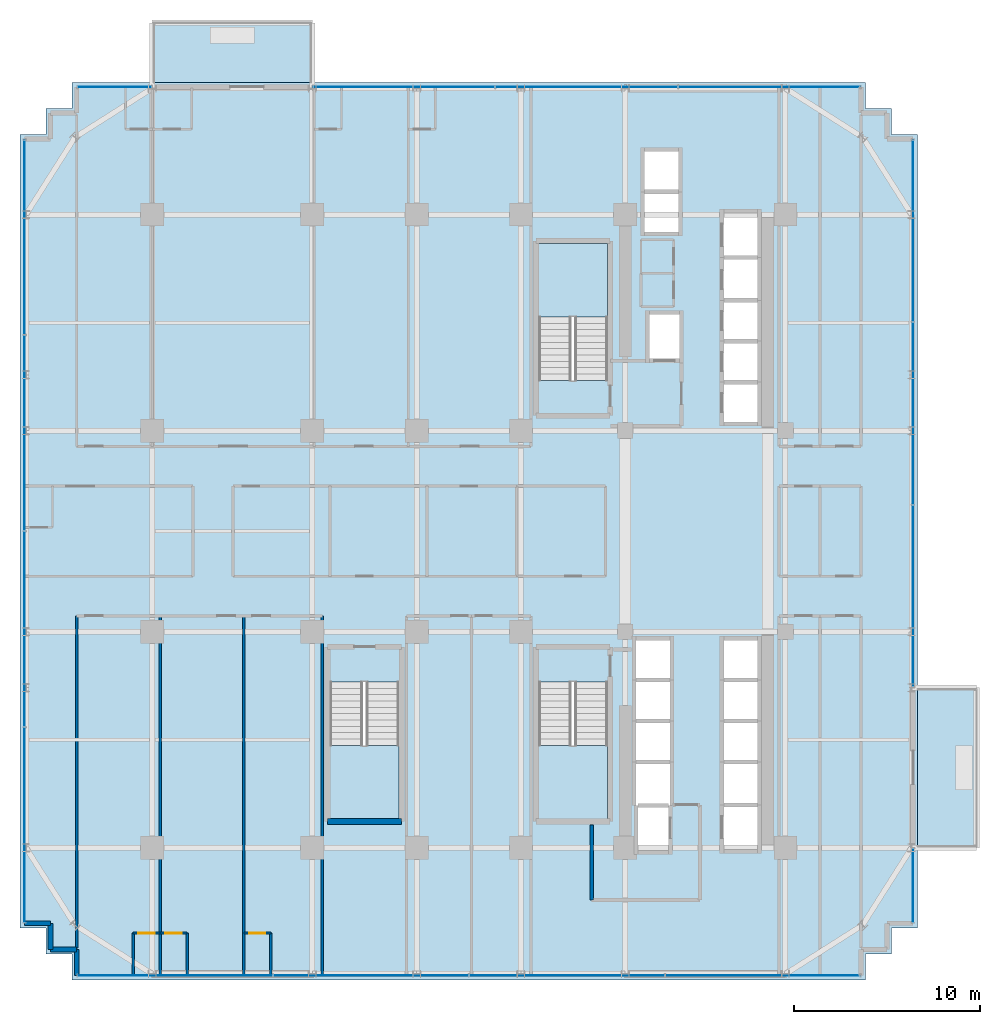
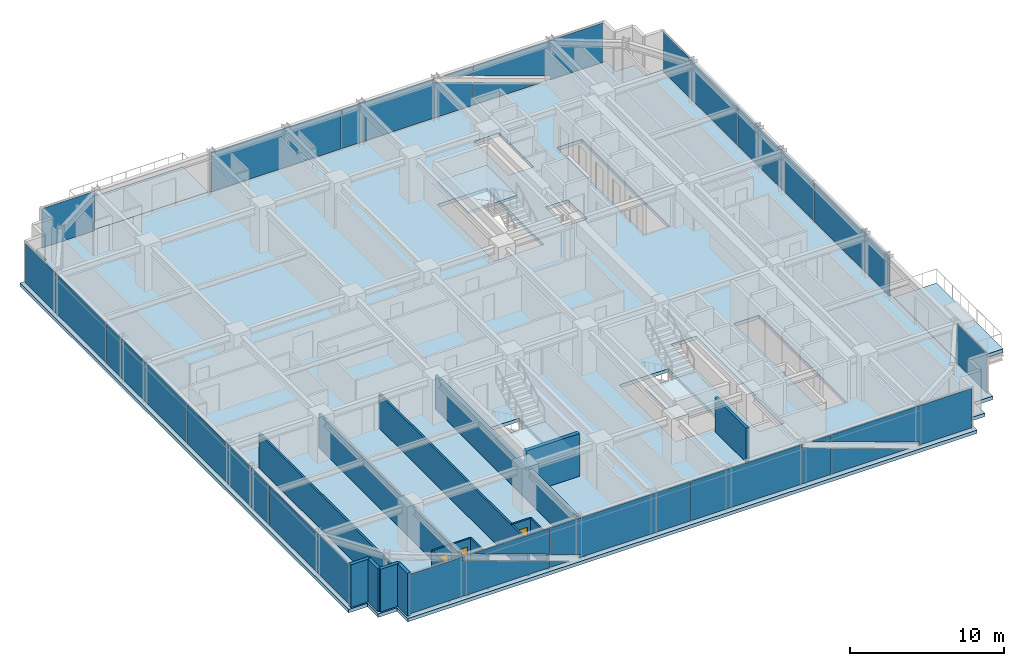
# One storey, part 26 of 34: 16 plates, 16 walls, 6 slabs, 3 doors, 3 openings, 9 elements without a shape of their own.
"""IFC4 building model written with IfcOpenShell, lengths in metres."""

import ifcopenshell
import ifcopenshell.guid

model = None  # the IFC model being written
_history = None  # IfcOwnerHistory: only IFC2X3 demands one
_inside = {}  # id of a spatial element -> (the spatial element, [elements in it])
_under = {}  # id of a project, library or spatial element -> (it, [spatial elements below it])
_declared = {}  # id of a project -> (the project, [libraries it declares])
_typed = {}  # id of a type object -> (the type object, [elements of that type])
_made_of = {}  # id of a material, layer set ... -> (it, [elements and type objects made of it])


def new_model(schema):
    """Start an empty IFC model of exactly this schema.

    Asked for "IFC4X3", IfcOpenShell would pick the latest addendum, in which some entities
    have other attributes; the version numbers below select the first issue.
    IFC2X3 requires an IfcOwnerHistory on every rooted entity: one is made here for all.
    """
    global model, _history
    if schema == "IFC4X3":
        model = ifcopenshell.file(schema_version=(4, 3, 0, 0))
    else:
        model = ifcopenshell.file(schema=schema)
    _inside.clear()
    _under.clear()
    _declared.clear()
    _typed.clear()
    _made_of.clear()
    _history = None
    if model.schema == "IFC2X3":
        org = make("IfcOrganization", Name="unknown")
        user = make(
            "IfcPersonAndOrganization",
            ThePerson=make("IfcPerson", FamilyName="unknown"),
            TheOrganization=org,
        )
        app = make(
            "IfcApplication",
            ApplicationDeveloper=org,
            Version="unknown",
            ApplicationFullName="unknown",
            ApplicationIdentifier="unknown",
        )
        _history = make(
            "IfcOwnerHistory",
            OwningUser=user,
            OwningApplication=app,
            ChangeAction="ADDED",
            CreationDate=0,
        )
    return model


def make(cls, **values):
    """One entity of the class cls with the attributes given. An attribute that is None is left unset."""
    return model.create_entity(
        cls, **{name: value for name, value in values.items() if value is not None}
    )


def rooted(cls, **values):
    """An entity with a GlobalId (a new one), such as an element, a storey or a relation."""
    return make(cls, GlobalId=ifcopenshell.guid.new(), OwnerHistory=_history, **values)


def si_unit(unit_type, name, prefix=None):
    """IfcSIUnit, for example si_unit("LENGTHUNIT", "METRE", prefix="MILLI")."""
    return make("IfcSIUnit", UnitType=unit_type, Prefix=prefix, Name=name)


def assignment(units):
    """IfcUnitAssignment: the units of a project."""
    return None if units is None else make("IfcUnitAssignment", Units=units)


def point(xyz):
    """IfcCartesianPoint."""
    return None if xyz is None else make("IfcCartesianPoint", Coordinates=xyz)


def direction(xyz):
    """IfcDirection."""
    return None if xyz is None else make("IfcDirection", DirectionRatios=xyz)


def frame(location, z_axis=None, x_axis=None):
    """IfcAxis2Placement3D, a coordinate frame: its origin and axes. An axis left out is left unset."""
    return make(
        "IfcAxis2Placement3D",
        Location=point(location),
        Axis=direction(z_axis),
        RefDirection=direction(x_axis),
    )


def frame_2d(location, x_axis=None):
    """IfcAxis2Placement2D, a coordinate frame in the plane: its origin and x axis."""
    return make(
        "IfcAxis2Placement2D", Location=point(location), RefDirection=direction(x_axis)
    )


def origin():
    """The frame at (0, 0, 0) with its axes left unset."""
    return frame((0.0, 0.0, 0.0))


def origin_2d():
    """The frame at (0, 0) in the plane with its x axis left unset."""
    return frame_2d((0.0, 0.0))


def place(relative_to, where):
    """IfcLocalPlacement: puts the frame where relative to a parent placement (None: the world)."""
    return make(
        "IfcLocalPlacement", PlacementRelTo=relative_to, RelativePlacement=where
    )


def context(
    kind, dimensions, precision=None, world=None, true_north=None, identifier=None
):
    """IfcGeometricRepresentationContext, for example the 3D "Model" context."""
    return make(
        "IfcGeometricRepresentationContext",
        ContextIdentifier=identifier,
        ContextType=kind,
        CoordinateSpaceDimension=dimensions,
        Precision=precision,
        WorldCoordinateSystem=world,
        TrueNorth=true_north,
    )


def subcontext(parent, identifier, kind, view, scale=None):
    """IfcGeometricRepresentationSubContext, for example "Body" below "Model"."""
    return make(
        "IfcGeometricRepresentationSubContext",
        ContextIdentifier=identifier,
        ContextType=kind,
        ParentContext=parent,
        TargetScale=scale,
        TargetView=view,
    )


def project(units=None, contexts=None):
    """IfcProject with its units and contexts."""
    return rooted(
        "IfcProject",
        Name="project",
        RepresentationContexts=contexts,
        UnitsInContext=assignment(units),
    )


def spatial(cls, under=None, at=None, **own):
    """A site, building, storey or space (cls), placed at a placement, below another one or the project."""
    s = rooted(cls, ObjectPlacement=at, **own)
    if under is not None:
        _under.setdefault(under.id(), (under, []))[1].append(s)
    return s


def polyline(points):
    """IfcPolyline through the points."""
    return make("IfcPolyline", Points=[point(p) for p in points])


def profile(cls, at=None, kind="AREA", **sizes):
    """A parametric profile (cls). Its sizes go by their IFC names, for example OverallWidth=200.0."""
    return make(cls, ProfileType=kind, Position=at, **sizes)


def rectangle(**sizes):
    """IfcRectangleProfileDef."""
    return profile("IfcRectangleProfileDef", **sizes)


def outline(outer, holes=None, kind="AREA"):
    """IfcArbitraryClosedProfileDef: a profile drawn as a closed curve; with holes, ...WithVoids."""
    if holes is None:
        return make("IfcArbitraryClosedProfileDef", ProfileType=kind, OuterCurve=outer)
    return make(
        "IfcArbitraryProfileDefWithVoids",
        ProfileType=kind,
        OuterCurve=outer,
        InnerCurves=holes,
    )


def extrude(swept, where, along, depth):
    """IfcExtrudedAreaSolid: the profile swept, set in the frame where, extruded along a direction by depth."""
    return make(
        "IfcExtrudedAreaSolid",
        SweptArea=swept,
        Position=where,
        ExtrudedDirection=direction(along),
        Depth=depth,
    )


def shape(context_of_items, identifier, shape_type, items):
    """IfcShapeRepresentation: the items that make up one representation, for example the "Body"."""
    return make(
        "IfcShapeRepresentation",
        ContextOfItems=context_of_items,
        RepresentationIdentifier=identifier,
        RepresentationType=shape_type,
        Items=items,
    )


def source(mapping_origin, context_of_items, identifier, shape_type, items):
    """IfcRepresentationMap: a shape defined once, which mapped items show again and again."""
    return make(
        "IfcRepresentationMap",
        MappingOrigin=mapping_origin,
        MappedRepresentation=shape(context_of_items, identifier, shape_type, items),
    )


def transform(
    local_origin,
    x_axis=None,
    y_axis=None,
    z_axis=None,
    scale=None,
    scale2=None,
    scale3=None,
    uniform=True,
):
    """IfcCartesianTransformationOperator3D, or its non-uniform kind. x_axis, y_axis, z_axis: its Axis1, 2, 3."""
    if uniform:
        return make(
            "IfcCartesianTransformationOperator3D",
            Axis1=direction(x_axis),
            Axis2=direction(y_axis),
            LocalOrigin=point(local_origin),
            Scale=scale,
            Axis3=direction(z_axis),
        )
    return make(
        "IfcCartesianTransformationOperator3DnonUniform",
        Axis1=direction(x_axis),
        Axis2=direction(y_axis),
        LocalOrigin=point(local_origin),
        Scale=scale,
        Axis3=direction(z_axis),
        Scale2=scale2,
        Scale3=scale3,
    )


def mapped(mapping_source, mapping_target):
    """IfcMappedItem: shows the shape of a source again, moved by a transform."""
    return make(
        "IfcMappedItem", MappingSource=mapping_source, MappingTarget=mapping_target
    )


def material(Name=None, Category=None):
    """IfcMaterial."""
    return make("IfcMaterial", Name=Name, Category=Category)


def layer(
    of_material, thickness, ventilated=None, Name=None, Category=None, Priority=None
):
    """IfcMaterialLayer: one layer of a wall or slab, of a material (None: an air gap)."""
    return make(
        "IfcMaterialLayer",
        Material=of_material,
        LayerThickness=thickness,
        IsVentilated=ventilated,
        Name=Name,
        Category=Category,
        Priority=Priority,
    )


def layer_set(layers, Name=None):
    """IfcMaterialLayerSet."""
    return make("IfcMaterialLayerSet", MaterialLayers=layers, LayerSetName=Name)


def made_of(thing, what):
    """Note that an element or type object is made of a material, layer set ...; save() writes the relation."""
    if what is not None:
        _made_of.setdefault(what.id(), (what, []))[1].append(thing)
    return thing


def type_object(cls, material=None, **own):
    """A type object (cls), such as IfcWallType, which elements share."""
    return made_of(rooted(cls, **own), material)


def element(
    cls,
    number,
    at=None,
    inside=None,
    cuts=None,
    type_object=None,
    material=None,
    context=None,
    identifier="Body",
    shape_type=None,
    held_by="IfcProductDefinitionShape",
    body=None,
    shapes=None,
    **own,
):
    """One element of the class cls, such as IfcWall. Its Tag is "e" and its number.

    at: its placement. inside: the storey or other place that contains it. cuts: it is an
    opening in that element (IfcRelVoidsElement). A single representation is given by context,
    identifier, shape_type and body (its items); several are given by shapes. held_by: the class
    of the entity that holds the representations. save() writes the other relations.
    """
    e = rooted(cls, Tag="e%d" % number, ObjectPlacement=at, **own)
    if body is not None:
        shapes = [shape(context, identifier, shape_type, body)]
    if shapes is not None:
        e.Representation = make(held_by, Representations=shapes)
    if inside is not None:
        _inside.setdefault(inside.id(), (inside, []))[1].append(e)
    if cuts is not None:
        rooted(
            "IfcRelVoidsElement", RelatingBuildingElement=cuts, RelatedOpeningElement=e
        )
    if type_object is not None:
        _typed.setdefault(type_object.id(), (type_object, []))[1].append(e)
    return made_of(e, material)


def fill(opening, filler):
    """IfcRelFillsElement: the door or window that sits in an opening."""
    return rooted(
        "IfcRelFillsElement",
        RelatingOpeningElement=opening,
        RelatedBuildingElement=filler,
    )


def aggregate(whole, parts):
    """IfcRelAggregates: a whole, such as a stair, and the parts it consists of."""
    return rooted("IfcRelAggregates", RelatingObject=whole, RelatedObjects=parts)


def save(model, path):
    """Write the relations noted so far, then the file.

    IfcRelAggregates (storeys below a building ...), IfcRelContainedInSpatialStructure (elements
    in a storey), IfcRelDefinesByType, IfcRelAssociatesMaterial and IfcRelDeclares: one each for
    every whole, place, type object, material and project.
    """
    for whole, parts in _under.values():
        aggregate(whole, parts)
    for where, things in _inside.values():
        rooted(
            "IfcRelContainedInSpatialStructure",
            RelatedElements=things,
            RelatingStructure=where,
        )
    for kind, things in _typed.values():
        rooted("IfcRelDefinesByType", RelatedObjects=things, RelatingType=kind)
    for what, things in _made_of.values():
        rooted("IfcRelAssociatesMaterial", RelatedObjects=things, RelatingMaterial=what)
    for by, libraries in _declared.values():
        rooted("IfcRelDeclares", RelatingContext=by, RelatedDefinitions=libraries)
    model.write(path)


model = new_model("IFC4")

# Units and contexts
model_context = context("Model", 3, precision=1e-05, world=origin(), true_north=direction((0.0, 1.0)))
body_context = subcontext(model_context, "Body", "Model", "MODEL_VIEW")
ifc_project = project(units=[si_unit("LENGTHUNIT", "METRE"), si_unit("AREAUNIT", "SQUARE_METRE"), si_unit("VOLUMEUNIT", "CUBIC_METRE"), si_unit("PLANEANGLEUNIT", "RADIAN"), si_unit("MASSUNIT", "GRAM", prefix="KILO")], contexts=[model_context])

# Site, building, storey
site_placement = place(None, origin())
site = spatial("IfcSite", under=ifc_project, at=site_placement, CompositionType="ELEMENT")
building_placement = place(site_placement, origin())
building = spatial("IfcBuilding", under=site, at=building_placement, Name="Nahalor Promenade Grand Hotel", CompositionType="ELEMENT")
storey_placement = place(building_placement, frame((0.0, 0.0, 128.449951171875)))
storey = spatial("IfcBuildingStorey", under=building, at=storey_placement, Name="L32", CompositionType="ELEMENT", Elevation=128.449951171875)

# Curtain wall, plates
ifc_material_1 = material(Name="Anodised Bronze Aluminium EN AW-6063 T6", Category="aluminium")
curtain_wall_type = type_object("IfcCurtainWallType", Name="CW2 Typical Hotel Flush Bronze Unitised Curtain Wall", PredefinedType="USERDEFINED", material=ifc_material_1)
curtain_wall_1_placement = place(storey_placement, origin())
curtain_wall_1 = element("IfcCurtainWall", 1, at=curtain_wall_1_placement, inside=storey, type_object=curtain_wall_type, Name="L32 Curtain Wall CW-L32-S-1", ObjectType="UNITISED_CURTAIN_WALL", PredefinedType="USERDEFINED")
ifc_material_2 = material(Name="Low-E Laminated Solar Glass", Category="glass")
ifc_layer_1 = layer(ifc_material_2, 0.028076171875)
ifc_layer_set_1 = layer_set([ifc_layer_1], Name="Low-E Laminated Solar Glass")
plate_type = type_object("IfcPlateType", Name="CWP2 Bronze Low-E Vision IGU 28mm", PredefinedType="CURTAIN_PANEL", material=ifc_layer_set_1)
plate_1_placement = place(storey_placement, frame((-15.77880859375, -23.860107421875, 0.1298828125), z_axis=(0.0, 0.0, 1.0), x_axis=(1.0, 0.0, 0.0)))
plate_1 = element("IfcPlate", 2, at=plate_1_placement, type_object=plate_type, Name="CW-L32-S-1 Glazing Panel 0-0", PredefinedType="CURTAIN_PANEL", context=body_context, shape_type="SweptSolid", body=[
    extrude(outline(polyline([(-5.21630859375, 0.0), (5.21630859375, 0.0), (5.21630859375, 0.52880859375), (-1.3291015625, 2.873046875), (-1.24072265625, 3.1201171875), (-5.21630859375, 3.1201171875), (-5.21630859375, 0.0)])), frame((0.0, 0.01416015625, 0.0), z_axis=(0.0, -1.0, 0.0), x_axis=(1.0, 0.0, 0.0)), (0.0, 0.0, 1.0), 0.028076171875),
    extrude(outline(polyline([(5.21630859375, 1.06005859375), (5.21630859375, 3.1201171875), (-0.53564453125, 3.1201171875), (5.21630859375, 1.06005859375)])), frame((0.0, 0.01416015625, 0.0), z_axis=(0.0, -1.0, 0.0), x_axis=(1.0, 0.0, 0.0)), (0.0, 0.0, 1.0), 0.028076171875),
])
plate_2_placement = place(storey_placement, frame((-5.264892578125, -23.860107421875, 0.1298828125), z_axis=(0.0, 0.0, 1.0), x_axis=(1.0, 0.0, 0.0)))
plate_2 = element("IfcPlate", 3, at=plate_2_placement, type_object=plate_type, Name="CW-L32-S-1 Glazing Panel 1-0", PredefinedType="CURTAIN_PANEL", context=body_context, shape_type="SweptSolid", body=[
    extrude(outline(polyline([(5.232421875, 3.1201171875), (-5.232421875, 3.1201171875), (-5.232421875, 1.036865234375), (-3.027099609375, 0.246826171875), (-3.11572265625, 0.0), (5.232421875, 0.0), (5.232421875, 3.1201171875)])), frame((0.0, 0.01416015625, 0.0), z_axis=(0.0, -1.0, 0.0), x_axis=(1.0, 0.0, 0.0)), (0.0, 0.0, 1.0), 0.028076171875),
    extrude(outline(polyline([(-5.232421875, 0.505615234375), (-5.232421875, 0.0), (-3.820556640625, 0.0), (-5.232421875, 0.505615234375)])), frame((0.0, 0.01416015625, 0.0), z_axis=(0.0, -1.0, 0.0), x_axis=(1.0, 0.0, 0.0)), (0.0, 0.0, 1.0), 0.028076171875),
])
plate_3_placement = place(storey_placement, frame((5.264892578125, -23.860107421875, 0.1298828125), z_axis=(0.0, 0.0, 1.0), x_axis=(1.0, 0.0, 0.0)))
plate_3 = element("IfcPlate", 4, at=plate_3_placement, type_object=plate_type, Name="CW-L32-S-1 Glazing Panel 2-0", PredefinedType="CURTAIN_PANEL", context=body_context, shape_type="SweptSolid", body=[
    extrude(outline(polyline([(-5.232421875, 0.0), (5.232421875, 0.0), (5.232421875, 2.083251953125), (3.027099609375, 2.873046875), (3.11572265625, 3.1201171875), (-5.232421875, 3.1201171875), (-5.232421875, 0.0)])), frame((0.0, 0.01416015625, 0.0), z_axis=(0.0, -1.0, 0.0), x_axis=(1.0, 0.0, 0.0)), (0.0, 0.0, 1.0), 0.028076171875),
    extrude(outline(polyline([(5.232421875, 2.6142578125), (5.232421875, 3.1201171875), (3.820556640625, 3.1201171875), (5.232421875, 2.6142578125)])), frame((0.0, 0.01416015625, 0.0), z_axis=(0.0, -1.0, 0.0), x_axis=(1.0, 0.0, 0.0)), (0.0, 0.0, 1.0), 0.028076171875),
])
plate_4_placement = place(storey_placement, frame((15.77880859375, -23.860107421875, 0.1298828125), z_axis=(0.0, 0.0, 1.0), x_axis=(1.0, 0.0, 0.0)))
plate_4 = element("IfcPlate", 5, at=plate_4_placement, type_object=plate_type, Name="CW-L32-S-1 Glazing Panel 3-0", PredefinedType="CURTAIN_PANEL", context=body_context, shape_type="SweptSolid", body=[
    extrude(outline(polyline([(5.21630859375, 3.1201171875), (-5.21630859375, 3.1201171875), (-5.21630859375, 2.591064453125), (1.3291015625, 0.246826171875), (1.24072265625, 0.0), (5.21630859375, 0.0), (5.21630859375, 3.1201171875)])), frame((0.0, 0.01416015625, 0.0), z_axis=(0.0, -1.0, 0.0), x_axis=(1.0, 0.0, 0.0)), (0.0, 0.0, 1.0), 0.028076171875),
    extrude(outline(polyline([(-5.21630859375, 2.06005859375), (-5.21630859375, 0.0), (0.53564453125, 0.0), (-5.21630859375, 2.06005859375)])), frame((0.0, 0.01416015625, 0.0), z_axis=(0.0, -1.0, 0.0), x_axis=(1.0, 0.0, 0.0)), (0.0, 0.0, 1.0), 0.028076171875),
])
aggregate(curtain_wall_1, [plate_1, plate_2, plate_3, plate_4])

curtain_wall_2_placement = place(storey_placement, origin())
curtain_wall_2 = element("IfcCurtainWall", 6, at=curtain_wall_2_placement, inside=storey, type_object=curtain_wall_type, Name="L32 Curtain Wall CW-L32-N-3", ObjectType="UNITISED_CURTAIN_WALL", PredefinedType="USERDEFINED")
plate_5_placement = place(storey_placement, frame((6.330078125, 23.860107421875, 0.1298828125), z_axis=(0.0, 0.0, 1.0), x_axis=(1.0, 0.0, 0.0)))
plate_5 = element("IfcPlate", 7, at=plate_5_placement, type_object=plate_type, Name="CW-L32-N-3 Glazing Panel 1-0", PredefinedType="CURTAIN_PANEL", context=body_context, shape_type="SweptSolid", body=[
    extrude(outline(polyline([(-4.87744140625, 0.0), (4.87744140625, 0.0), (4.87744140625, 1.828857421875), (1.962158203125, 2.873046875), (2.050537109375, 3.1201171875), (-4.87744140625, 3.1201171875), (-4.87744140625, 0.0)])), frame((0.0, 0.01416015625, 0.0), z_axis=(0.0, -1.0, 0.0), x_axis=(1.0, 0.0, 0.0)), (0.0, 0.0, 1.0), 0.028076171875),
    extrude(outline(polyline([(4.87744140625, 2.360107421875), (4.87744140625, 3.1201171875), (2.755615234375, 3.1201171875), (4.87744140625, 2.360107421875)])), frame((0.0, 0.01416015625, 0.0), z_axis=(0.0, -1.0, 0.0), x_axis=(1.0, 0.0, 0.0)), (0.0, 0.0, 1.0), 0.028076171875),
])
plate_6_placement = place(storey_placement, frame((16.1337890625, 23.860107421875, 0.1298828125), z_axis=(0.0, 0.0, 1.0), x_axis=(1.0, 0.0, 0.0)))
plate_6 = element("IfcPlate", 8, at=plate_6_placement, type_object=plate_type, Name="CW-L32-N-3 Glazing Panel 2-0", PredefinedType="CURTAIN_PANEL", context=body_context, shape_type="SweptSolid", body=[
    extrude(outline(polyline([(4.861328125, 3.1201171875), (-4.861328125, 3.1201171875), (-4.861328125, 2.3369140625), (0.97412109375, 0.246826171875), (0.8857421875, 0.0), (4.861328125, 0.0), (4.861328125, 3.1201171875)])), frame((0.0, 0.01416015625, 0.0), z_axis=(0.0, -1.0, 0.0), x_axis=(1.0, 0.0, 0.0)), (0.0, 0.0, 1.0), 0.028076171875),
    extrude(outline(polyline([(-4.861328125, 1.8056640625), (-4.861328125, 0.0), (0.1806640625, 0.0), (-4.861328125, 1.8056640625)])), frame((0.0, 0.01416015625, 0.0), z_axis=(0.0, -1.0, 0.0), x_axis=(1.0, 0.0, 0.0)), (0.0, 0.0, 1.0), 0.028076171875),
])

# Stair, slab
ifc_material_3 = material(Name="Concrete B-50 (C40/50)", Category="concrete")
stair_type_1 = type_object("IfcStairType", Name="Stair-ST1", PredefinedType="HALF_TURN_STAIR", material=ifc_material_3)
stair_1_placement = place(storey_placement, origin())
stair_1 = element("IfcStair", 9, at=stair_1_placement, inside=storey, type_object=stair_type_1, Name="L32 ST1", PredefinedType="HALF_TURN_STAIR")
ifc_layer_2 = layer(ifc_material_3, 0.199951171875)
ifc_layer_set_2 = layer_set([ifc_layer_2], Name="Concrete B-50 (C40/50)")
slab_type_1 = type_object("IfcSlabType", Name="Landing-ST1", PredefinedType="LANDING", material=ifc_layer_set_2)
slab_1_placement = place(storey_placement, frame((0.0, 0.0, 1.625)))
slab_1 = element("IfcSlab", 10, at=slab_1_placement, type_object=slab_type_1, Name="ST1 landing 1", PredefinedType="LANDING", context=body_context, shape_type="SweptSolid", body=[
    extrude(outline(polyline([(7.449951171875, 11.5), (7.449951171875, 15.449951171875), (3.75, 15.449951171875), (3.75, 11.5), (7.449951171875, 11.5)])), origin(), (0.0, 0.0, 1.0), 0.199951171875),
])
aggregate(stair_1, [slab_1])

stair_type_2 = type_object("IfcStairType", Name="Stair-ST2", PredefinedType="HALF_TURN_STAIR", material=ifc_material_3)
stair_2_placement = place(storey_placement, origin())
stair_2 = element("IfcStair", 11, at=stair_2_placement, inside=storey, type_object=stair_type_2, Name="L32 ST2", PredefinedType="HALF_TURN_STAIR")
ifc_layer_3 = layer(ifc_material_3, 0.2099609375)
ifc_layer_set_3 = layer_set([ifc_layer_3], Name="Concrete B-50 (C40/50)")
slab_type_2 = type_object("IfcSlabType", Name="Landing-ST2", PredefinedType="LANDING", material=ifc_layer_set_3)
slab_2_placement = place(storey_placement, frame((0.0, 0.0, 1.614990234375)))
slab_2 = element("IfcSlab", 12, at=slab_2_placement, type_object=slab_type_2, Name="ST2 landing 1", PredefinedType="LANDING", context=body_context, shape_type="SweptSolid", body=[
    extrude(outline(polyline([(3.75, -11.5), (3.75, -15.449951171875), (7.449951171875, -15.449951171875), (7.449951171875, -11.5), (3.75, -11.5)])), origin(), (0.0, 0.0, 1.0), 0.2099609375),
])
aggregate(stair_2, [slab_2])

stair_type_3 = type_object("IfcStairType", Name="Stair-ST3", PredefinedType="HALF_TURN_STAIR", material=ifc_material_3)
stair_3_placement = place(storey_placement, origin())
stair_3 = element("IfcStair", 13, at=stair_3_placement, inside=storey, type_object=stair_type_3, Name="L32 ST3", PredefinedType="HALF_TURN_STAIR")
ifc_layer_4 = layer(ifc_material_3, 0.219970703125)
ifc_layer_set_4 = layer_set([ifc_layer_4], Name="Concrete B-50 (C40/50)")
slab_type_3 = type_object("IfcSlabType", Name="Landing-ST3", PredefinedType="LANDING", material=ifc_layer_set_4)
slab_3_placement = place(storey_placement, frame((0.0, 0.0, 1.60498046875)))
slab_3 = element("IfcSlab", 14, at=slab_3_placement, type_object=slab_type_3, Name="ST3 landing 1", PredefinedType="LANDING", context=body_context, shape_type="SweptSolid", body=[
    extrude(outline(polyline([(-7.449951171875, -11.5), (-7.449951171875, -15.449951171875), (-3.75, -15.449951171875), (-3.75, -11.5), (-7.449951171875, -11.5)])), origin(), (0.0, 0.0, 1.0), 0.219970703125),
])
aggregate(stair_3, [slab_3])

# Slabs
ifc_layer_5 = layer(ifc_material_3, 0.280029296875)
ifc_layer_set_5 = layer_set([ifc_layer_5], Name="Concrete B-50 (C40/50)")
slab_type_4 = type_object("IfcSlabType", Name="Slab-Balcony-280", PredefinedType="FLOOR", material=ifc_layer_set_5)
slab_4_placement = place(storey_placement, frame((0.0, 0.0, -0.280029296875)))
element("IfcSlab", 15, at=slab_4_placement, inside=storey, type_object=slab_type_4, Name="L32 Cantilevered Planted Balcony 1", PredefinedType="FLOOR", context=body_context, shape_type="SweptSolid", body=[
    extrude(outline(polyline([(-17.0, 24.10009765625), (-8.39990234375, 24.10009765625), (-8.39990234375, 27.3798828125), (-17.0, 27.3798828125), (-17.0, 24.10009765625)])), origin(), (0.0, 0.0, 1.0), 0.280029296875),
])
slab_5_placement = place(storey_placement, frame((0.0, 0.0, -0.280029296875)))
element("IfcSlab", 16, at=slab_5_placement, inside=storey, type_object=slab_type_4, Name="L32 Cantilevered Planted Balcony 2", PredefinedType="FLOOR", context=body_context, shape_type="SweptSolid", body=[
    extrude(outline(polyline([(24.10009765625, -17.0), (27.340087890625, -17.0), (27.340087890625, -8.39990234375), (24.10009765625, -8.39990234375), (24.10009765625, -17.0)])), origin(), (0.0, 0.0, 1.0), 0.280029296875),
])
ifc_layer_6 = layer(ifc_material_3, 0.27001953125)
ifc_layer_set_6 = layer_set([ifc_layer_6], Name="Concrete B-50 (C40/50)")
slab_type_5 = type_object("IfcSlabType", Name="Slab-TowerZ2-270", PredefinedType="FLOOR", material=ifc_layer_set_6)
slab_6_placement = place(storey_placement, frame((0.0, 0.0, -0.27001953125)))
element("IfcSlab", 17, at=slab_6_placement, inside=storey, type_object=slab_type_5, Name="L32 Suspended Structural Floor Slab", PredefinedType="FLOOR", context=body_context, shape_type="SweptSolid", body=[
    extrude(outline(polyline([(-21.300048828125, -24.10009765625), (21.300048828125, -24.10009765625), (21.300048828125, -22.699951171875), (22.699951171875, -22.699951171875), (22.699951171875, -21.300048828125), (24.10009765625, -21.300048828125), (24.10009765625, 21.300048828125), (22.699951171875, 21.300048828125), (22.699951171875, 22.699951171875), (21.300048828125, 22.699951171875), (21.300048828125, 24.10009765625), (-21.300048828125, 24.10009765625), (-21.300048828125, 22.699951171875), (-22.699951171875, 22.699951171875), (-22.699951171875, 21.300048828125), (-24.10009765625, 21.300048828125), (-24.10009765625, -21.300048828125), (-22.699951171875, -21.300048828125), (-22.699951171875, -22.699951171875), (-21.300048828125, -22.699951171875), (-21.300048828125, -24.10009765625)]), holes=[polyline([(3.75, 8.10009765625), (7.449951171875, 8.10009765625), (7.449951171875, 15.449951171875), (3.75, 15.449951171875), (3.75, 8.10009765625)]), polyline([(3.75, -15.449951171875), (7.449951171875, -15.449951171875), (7.449951171875, -8.10009765625), (3.75, -8.10009765625), (3.75, -15.449951171875)]), polyline([(-7.449951171875, -15.449951171875), (-3.75, -15.449951171875), (-3.75, -8.10009765625), (-7.449951171875, -8.10009765625), (-7.449951171875, -15.449951171875)]), polyline([(13.659912109375, 5.81005859375), (15.5400390625, 5.81005859375), (15.5400390625, 17.139892578125), (13.659912109375, 17.139892578125), (13.659912109375, 5.81005859375)]), polyline([(13.659912109375, -17.139892578125), (15.5400390625, -17.139892578125), (15.5400390625, -5.81005859375), (13.659912109375, -5.81005859375), (13.659912109375, -17.139892578125)]), polyline([(8.9599609375, -17.18994140625), (10.840087890625, -17.18994140625), (10.840087890625, -5.81005859375), (8.9599609375, -5.81005859375), (8.9599609375, -17.18994140625)]), polyline([(9.409912109375, 16.010009765625), (11.2900390625, 16.010009765625), (11.2900390625, 20.43994140625), (9.409912109375, 20.43994140625), (9.409912109375, 16.010009765625)]), polyline([(9.659912109375, 9.2099609375), (11.340087890625, 9.2099609375), (11.340087890625, 11.68994140625), (9.659912109375, 11.68994140625), (9.659912109375, 9.2099609375)])]), origin(), (0.0, 0.0, 1.0), 0.27001953125),
])

# Curtain wall, plate
curtain_wall_3_placement = place(storey_placement, origin())
curtain_wall_3 = element("IfcCurtainWall", 18, at=curtain_wall_3_placement, inside=storey, type_object=curtain_wall_type, Name="L32 Curtain Wall CW-L32-N-1", ObjectType="UNITISED_CURTAIN_WALL", PredefinedType="USERDEFINED")
shared_shape_1 = source(origin(), body_context, "Body", "SweptSolid", [
    extrude(rectangle(XDim=3.929931640625, YDim=0.028076171875, at=origin_2d()), origin(), (0.0, 0.0, 1.0), 3.1201171875),
])
plate_7_placement = place(storey_placement, frame((-19.030029296875, 23.860107421875, 0.1298828125), z_axis=(0.0, 0.0, 1.0), x_axis=(1.0, 0.0, 0.0)))
plate_7 = element("IfcPlate", 19, at=plate_7_placement, type_object=plate_type, Name="CW-L32-N-1 Glazing Panel 0-0", PredefinedType="CURTAIN_PANEL", context=body_context, shape_type="MappedRepresentation", body=[
    mapped(shared_shape_1, transform((0.0, 0.0, 0.0), scale=1.0)),
])
aggregate(curtain_wall_3, [plate_7])

curtain_wall_4_placement = place(storey_placement, origin())
curtain_wall_4 = element("IfcCurtainWall", 20, at=curtain_wall_4_placement, inside=storey, type_object=curtain_wall_type, Name="L32 Curtain Wall CW-L32-E-1", ObjectType="UNITISED_CURTAIN_WALL", PredefinedType="USERDEFINED")
plate_8_placement = place(storey_placement, frame((23.860107421875, -19.030029296875, 0.1298828125), z_axis=(0.0, 0.0, 1.0), x_axis=(0.0, 1.0, 0.0)))
plate_8 = element("IfcPlate", 21, at=plate_8_placement, type_object=plate_type, Name="CW-L32-E-1 Glazing Panel 0-0", PredefinedType="CURTAIN_PANEL", context=body_context, shape_type="MappedRepresentation", body=[
    mapped(shared_shape_1, transform((0.0, 0.0, 0.0), scale=1.0)),
])
aggregate(curtain_wall_4, [plate_8])

# Plate
shared_shape_2 = source(origin(), body_context, "Body", "SweptSolid", [
    extrude(rectangle(XDim=9.722412109375, YDim=0.028076171875, at=origin_2d()), origin(), (0.0, 0.0, 1.0), 3.1201171875),
])
plate_9_placement = place(storey_placement, frame((-3.4736328125, 23.860107421875, 0.1298828125), z_axis=(0.0, 0.0, 1.0), x_axis=(1.0, 0.0, 0.0)))
plate_9 = element("IfcPlate", 22, at=plate_9_placement, type_object=plate_type, Name="CW-L32-N-3 Glazing Panel 0-0", PredefinedType="CURTAIN_PANEL", context=body_context, shape_type="MappedRepresentation", body=[
    mapped(shared_shape_2, transform((0.0, 0.0, 0.0), scale=1.0)),
])

aggregate(curtain_wall_2, [plate_9, plate_5, plate_6])

# Curtain wall, plates
curtain_wall_5_placement = place(storey_placement, origin())
curtain_wall_5 = element("IfcCurtainWall", 23, at=curtain_wall_5_placement, inside=storey, type_object=curtain_wall_type, Name="L32 Curtain Wall CW-L32-E-3", ObjectType="UNITISED_CURTAIN_WALL", PredefinedType="USERDEFINED")
plate_10_placement = place(storey_placement, frame((23.860107421875, -3.4736328125, 0.1298828125), z_axis=(0.0, 0.0, 1.0), x_axis=(0.0, 1.0, 0.0)))
plate_10 = element("IfcPlate", 24, at=plate_10_placement, type_object=plate_type, Name="CW-L32-E-3 Glazing Panel 0-0", PredefinedType="CURTAIN_PANEL", context=body_context, shape_type="MappedRepresentation", body=[
    mapped(shared_shape_2, transform((0.0, 0.0, 0.0), scale=1.0)),
])
plate_11_placement = place(storey_placement, frame((23.860107421875, 16.1337890625, 0.1298828125), z_axis=(0.0, 0.0, 1.0), x_axis=(0.0, 1.0, 0.0)))
plate_11 = element("IfcPlate", 25, at=plate_11_placement, type_object=plate_type, Name="CW-L32-E-3 Glazing Panel 2-0", PredefinedType="CURTAIN_PANEL", context=body_context, shape_type="MappedRepresentation", body=[
    mapped(shared_shape_2, transform((0.0, 0.0, 0.0), scale=1.0)),
])
shared_shape_3 = source(origin(), body_context, "Body", "SweptSolid", [
    extrude(rectangle(XDim=9.7548828125, YDim=0.028076171875, at=origin_2d()), origin(), (0.0, 0.0, 1.0), 3.1201171875),
])
plate_12_placement = place(storey_placement, frame((23.860107421875, 6.330078125, 0.1298828125), z_axis=(0.0, 0.0, 1.0), x_axis=(0.0, 1.0, 0.0)))
plate_12 = element("IfcPlate", 26, at=plate_12_placement, type_object=plate_type, Name="CW-L32-E-3 Glazing Panel 1-0", PredefinedType="CURTAIN_PANEL", context=body_context, shape_type="MappedRepresentation", body=[
    mapped(shared_shape_3, transform((0.0, 0.0, 0.0), scale=1.0)),
])
aggregate(curtain_wall_5, [plate_10, plate_12, plate_11])

curtain_wall_6_placement = place(storey_placement, origin())
curtain_wall_6 = element("IfcCurtainWall", 27, at=curtain_wall_6_placement, inside=storey, type_object=curtain_wall_type, Name="L32 Curtain Wall CW-L32-W-1", ObjectType="UNITISED_CURTAIN_WALL", PredefinedType="USERDEFINED")
shared_shape_4 = source(origin(), body_context, "Body", "SweptSolid", [
    extrude(rectangle(XDim=10.4326171875, YDim=0.028076171875, at=origin_2d()), origin(), (0.0, 0.0, 1.0), 3.1201171875),
])
plate_13_placement = place(storey_placement, frame((-23.860107421875, -15.77880859375, 0.1298828125), z_axis=(0.0, 0.0, 1.0), x_axis=(0.0, 1.0, 0.0)))
plate_13 = element("IfcPlate", 28, at=plate_13_placement, type_object=plate_type, Name="CW-L32-W-1 Glazing Panel 0-0", PredefinedType="CURTAIN_PANEL", context=body_context, shape_type="MappedRepresentation", body=[
    mapped(shared_shape_4, transform((0.0, 0.0, 0.0), scale=1.0)),
])
plate_14_placement = place(storey_placement, frame((-23.860107421875, 15.77880859375, 0.1298828125), z_axis=(0.0, 0.0, 1.0), x_axis=(0.0, 1.0, 0.0)))
plate_14 = element("IfcPlate", 29, at=plate_14_placement, type_object=plate_type, Name="CW-L32-W-1 Glazing Panel 3-0", PredefinedType="CURTAIN_PANEL", context=body_context, shape_type="MappedRepresentation", body=[
    mapped(shared_shape_4, transform((0.0, 0.0, 0.0), scale=1.0)),
])
shared_shape_5 = source(origin(), body_context, "Body", "SweptSolid", [
    extrude(rectangle(XDim=10.465087890625, YDim=0.028076171875, at=origin_2d()), origin(), (0.0, 0.0, 1.0), 3.1201171875),
])
plate_15_placement = place(storey_placement, frame((-23.860107421875, -5.264892578125, 0.1298828125), z_axis=(0.0, 0.0, 1.0), x_axis=(0.0, 1.0, 0.0)))
plate_15 = element("IfcPlate", 30, at=plate_15_placement, type_object=plate_type, Name="CW-L32-W-1 Glazing Panel 1-0", PredefinedType="CURTAIN_PANEL", context=body_context, shape_type="MappedRepresentation", body=[
    mapped(shared_shape_5, transform((0.0, 0.0, 0.0), scale=1.0)),
])
plate_16_placement = place(storey_placement, frame((-23.860107421875, 5.264892578125, 0.1298828125), z_axis=(0.0, 0.0, 1.0), x_axis=(0.0, 1.0, 0.0)))
plate_16 = element("IfcPlate", 31, at=plate_16_placement, type_object=plate_type, Name="CW-L32-W-1 Glazing Panel 2-0", PredefinedType="CURTAIN_PANEL", context=body_context, shape_type="MappedRepresentation", body=[
    mapped(shared_shape_5, transform((0.0, 0.0, 0.0), scale=1.0)),
])
aggregate(curtain_wall_6, [plate_13, plate_15, plate_16, plate_14])

# Walls
ifc_layer_7 = layer(ifc_material_3, 0.300048828125)
ifc_layer_set_7 = layer_set([ifc_layer_7], Name="Concrete B-50 (C40/50)")
wall_type_1 = type_object("IfcWallType", Name="Wall-ShaftShear-300", PredefinedType="SHEAR", material=ifc_layer_set_7)
shared_shape_6 = source(origin(), body_context, "Body", "SweptSolid", [
    extrude(rectangle(XDim=3.97998046875, YDim=0.300048828125, at=frame_2d((1.989990234375, 0.0))), origin(), (0.0, 0.0, 1.0), 3.380126953125),
])
wall_1_placement = place(storey_placement, frame((-7.590087890625, -15.590087890625, 0.0), z_axis=(0.0, 0.0, 1.0), x_axis=(1.0, 0.0, 0.0)))
element("IfcWall", 32, at=wall_1_placement, inside=storey, type_object=wall_type_1, Name="L32 Exit Stair ST3 Shaft Wall S", PredefinedType="SHEAR", context=body_context, shape_type="MappedRepresentation", body=[
    mapped(shared_shape_6, transform((0.0, 0.0, 0.0), scale=1.0)),
])
ifc_material_4 = material(Name="Concrete B-40 (C32/40)", Category="concrete")
ifc_layer_8 = layer(ifc_material_4, 0.25)
ifc_layer_set_8 = layer_set([ifc_layer_8], Name="Concrete B-40 (C32/40)")
wall_type_2 = type_object("IfcWallType", Name="Wall-BronzePier-250", PredefinedType="STANDARD", material=ifc_layer_set_8)
shared_shape_7 = source(origin(), body_context, "Body", "SweptSolid", [
    extrude(rectangle(XDim=1.400146484375, YDim=0.25, at=frame_2d((0.7001953125, 0.0))), origin(), (0.0, 0.0, 1.0), 3.380126953125),
])
for number, where, z_axis, x_axis, name in (
    (33, (-23.860107421875, -21.06005859375, 0.0), (0.0, 0.0, 1.0), (1.0, 0.0, 0.0), "W-L32-SR-13"),
    (34, (-21.06005859375, -23.860107421875, 0.0), (0.0, 0.0, 1.0), (0.0, 1.0, 0.0), "W-L32-SR-16"),
):
    element("IfcWall", number, at=place(storey_placement, frame(where, z_axis=z_axis, x_axis=x_axis)), inside=storey, type_object=wall_type_2, Name=name, PredefinedType="STANDARD", context=body_context, shape_type="MappedRepresentation", body=[
        mapped(shared_shape_7, transform((0.0, 0.0, 0.0), scale=1.0)),
    ])
shared_shape_8 = source(origin(), body_context, "Body", "SweptSolid", [
    extrude(rectangle(XDim=1.39990234375, YDim=0.25, at=frame_2d((0.699951171875, 0.0))), origin(), (0.0, 0.0, 1.0), 3.380126953125),
])
for number, where, z_axis, x_axis, name in (
    (35, (-22.4599609375, -22.4599609375, 0.0), (0.0, 0.0, 1.0), (0.0, 1.0, 0.0), "W-L32-SR-14"),
    (36, (-22.4599609375, -22.4599609375, 0.0), (0.0, 0.0, 1.0), (1.0, 0.0, 0.0), "W-L32-SR-15"),
):
    element("IfcWall", number, at=place(storey_placement, frame(where, z_axis=z_axis, x_axis=x_axis)), inside=storey, type_object=wall_type_2, Name=name, PredefinedType="STANDARD", context=body_context, shape_type="MappedRepresentation", body=[
        mapped(shared_shape_8, transform((0.0, 0.0, 0.0), scale=1.0)),
    ])
ifc_layer_9 = layer(ifc_material_4, 0.199951171875)
ifc_layer_set_9 = layer_set([ifc_layer_9], Name="Concrete B-40 (C32/40)")
wall_type_3 = type_object("IfcWallType", Name="Wall-PartFire-200", PredefinedType="PARTITIONING", material=ifc_layer_set_9)
shared_shape_9 = source(origin(), body_context, "Body", "SweptSolid", [
    extrude(rectangle(XDim=4.030029296875, YDim=0.199951171875, at=frame_2d((2.01513671875, 0.0))), origin(), (0.0, 0.0, 1.0), 2.719970703125),
])
wall_2_placement = place(storey_placement, frame((6.60009765625, -19.800048828125, 0.0), z_axis=(0.0, 0.0, 1.0), x_axis=(0.0, 1.0, 0.0)))
element("IfcWall", 37, at=wall_2_placement, inside=storey, type_object=wall_type_3, Name="W-L32-FF2-W1", PredefinedType="PARTITIONING", context=body_context, shape_type="MappedRepresentation", body=[
    mapped(shared_shape_9, transform((0.0, 0.0, 0.0), scale=1.0)),
])
ifc_material_5 = material(Name="Acoustic Mineral Gypsum", Category="gypsum")
ifc_layer_10 = layer(ifc_material_5, 0.139892578125)
ifc_layer_set_10 = layer_set([ifc_layer_10], Name="Acoustic Mineral Gypsum")
wall_type_4 = type_object("IfcWallType", Name="Wall-PartSuite-140", PredefinedType="PARTITIONING", material=ifc_layer_set_10)
shared_shape_10 = source(origin(), body_context, "Body", "SweptSolid", [
    extrude(rectangle(XDim=17.829833984375, YDim=0.139892578125, at=frame_2d((8.9150390625, 0.0))), origin(), (0.0, 0.0, 1.0), 2.719970703125),
])
wall_3_placement = place(storey_placement, frame((-21.06005859375, -22.3798828125, 0.0), z_axis=(0.0, 0.0, 1.0), x_axis=(0.0, 1.0, 0.0)))
element("IfcWall", 38, at=wall_3_placement, inside=storey, type_object=wall_type_4, Name="W-L32-SW-ENDW", PredefinedType="PARTITIONING", context=body_context, shape_type="MappedRepresentation", body=[
    mapped(shared_shape_10, transform((0.0, 0.0, 0.0), scale=1.0)),
])
shared_shape_11 = source(origin(), body_context, "Body", "SweptSolid", [
    extrude(rectangle(XDim=19.25, YDim=0.139892578125, at=frame_2d((9.625, 0.0))), origin(), (0.0, 0.0, 1.0), 2.719970703125),
])
for number, where, z_axis, x_axis, name in (
    (39, (-7.860107421875, -23.800048828125, 0.0), (0.0, 0.0, 1.0), (0.0, 1.0, 0.0), "W-L32-SW-ENDE"),
    (40, (-16.572021484375, -23.800048828125, 0.0), (0.0, 0.0, 1.0), (0.0, 1.0, 0.0), "W-L32-SP-1"),
    (41, (-12.083984375, -23.800048828125, 0.0), (0.0, 0.0, 1.0), (0.0, 1.0, 0.0), "W-L32-SP-2"),
):
    element("IfcWall", number, at=place(storey_placement, frame(where, z_axis=z_axis, x_axis=x_axis)), inside=storey, type_object=wall_type_4, Name=name, PredefinedType="PARTITIONING", context=body_context, shape_type="MappedRepresentation", body=[
        mapped(shared_shape_11, transform((0.0, 0.0, 0.0), scale=1.0)),
    ])
ifc_layer_11 = layer(ifc_material_5, 0.1201171875)
ifc_layer_set_11 = layer_set([ifc_layer_11], Name="Acoustic Mineral Gypsum")
wall_type_5 = type_object("IfcWallType", Name="Wall-PartBath-120", PredefinedType="PARTITIONING", material=ifc_layer_set_11)
shared_shape_12 = source(origin(), body_context, "Body", "SweptSolid", [
    extrude(rectangle(XDim=2.219970703125, YDim=0.1201171875, at=frame_2d((1.10986328125, 0.0))), origin(), (0.0, 0.0, 1.0), 2.719970703125),
])
for number, where, z_axis, x_axis, name in (
    (42, (-18.02197265625, -23.800048828125, 0.0), (0.0, 0.0, 1.0), (0.0, 1.0, 0.0), "W-L32-S1-BV"),
    (43, (-15.1220703125, -23.800048828125, 0.0), (0.0, 0.0, 1.0), (0.0, 1.0, 0.0), "W-L32-S2-BV"),
    (44, (-10.634033203125, -23.800048828125, 0.0), (0.0, 0.0, 1.0), (0.0, 1.0, 0.0), "W-L32-S3-BV"),
):
    element("IfcWall", number, at=place(storey_placement, frame(where, z_axis=z_axis, x_axis=x_axis)), inside=storey, type_object=wall_type_5, Name=name, PredefinedType="PARTITIONING", context=body_context, shape_type="MappedRepresentation", body=[
        mapped(shared_shape_12, transform((0.0, 0.0, 0.0), scale=1.0)),
    ])

# Wall, opening, door
shared_shape_13 = source(origin(), body_context, "Body", "SweptSolid", [
    extrude(rectangle(XDim=1.449951171875, YDim=0.1201171875, at=frame_2d((0.72509765625, 0.0))), origin(), (0.0, 0.0, 1.0), 2.719970703125),
])
wall_4_placement = place(storey_placement, frame((-18.02197265625, -21.580078125, 0.0), z_axis=(0.0, 0.0, 1.0), x_axis=(1.0, 0.0, 0.0)))
wall_4 = element("IfcWall", 45, at=wall_4_placement, inside=storey, type_object=wall_type_5, Name="W-L32-S1-BH", PredefinedType="PARTITIONING", context=body_context, shape_type="MappedRepresentation", body=[
    mapped(shared_shape_13, transform((0.0, 0.0, 0.0), scale=1.0)),
])
opening_1_placement = place(wall_4_placement, frame((0.284912109375, 0.0, 0.0)))
opening_1 = element("IfcOpeningElement", 46, at=opening_1_placement, cuts=wall_4, Name="Opening D-03", PredefinedType="OPENING", context=body_context, shape_type="SweptSolid", body=[
    extrude(rectangle(XDim=0.8798828125, YDim=2.10009765625, at=frame_2d((0.43994140625, 1.050048828125))), frame((0.0, 0.070068359375, 0.0), z_axis=(0.0, -1.0, 0.0), x_axis=(1.0, 0.0, 0.0)), (0.0, 0.0, 1.0), 0.14013671875),
])
ifc_material_6 = material(Name="Fire-Rated Timber Composite", Category="wood")
door_type = type_object("IfcDoorType", Name="Door-BathSwing-880", OperationType="NOTDEFINED", PredefinedType="DOOR", material=ifc_material_6)
shared_shape_14 = source(origin(), body_context, "Body", "SweptSolid", [
    extrude(rectangle(XDim=0.8798828125, YDim=2.10009765625, at=frame_2d((0.43994140625, 1.050048828125))), frame((0.0, 0.02490234375, 0.0), z_axis=(0.0, -1.0, 0.0), x_axis=(1.0, 0.0, 0.0)), (0.0, 0.0, 1.0), 0.050048828125),
])
door_1_placement = place(opening_1_placement, frame((0.8798828125, 0.0, 0.0), z_axis=(0.0, 0.0, 1.0), x_axis=(-1.0, 0.0, 0.0)))
door_1 = element("IfcDoor", 47, at=door_1_placement, inside=storey, type_object=door_type, Name="DR-L32-S1-BATH", OperationType="SINGLE_SWING_LEFT", OverallHeight=2.10009765625, OverallWidth=0.8798828125, PredefinedType="DOOR", context=body_context, shape_type="MappedRepresentation", body=[
    mapped(shared_shape_14, transform((0.0, 0.0, 0.0), scale=1.0)),
])
fill(opening_1, door_1)

wall_5_placement = place(storey_placement, frame((-16.572021484375, -21.580078125, 0.0), z_axis=(0.0, 0.0, 1.0), x_axis=(1.0, 0.0, 0.0)))
wall_5 = element("IfcWall", 48, at=wall_5_placement, inside=storey, type_object=wall_type_5, Name="W-L32-S2-BH", PredefinedType="PARTITIONING", context=body_context, shape_type="MappedRepresentation", body=[
    mapped(shared_shape_13, transform((0.0, 0.0, 0.0), scale=1.0)),
])
opening_2_placement = place(wall_5_placement, frame((0.284912109375, 0.0, 0.0)))
opening_2 = element("IfcOpeningElement", 49, at=opening_2_placement, cuts=wall_5, Name="Opening D-03", PredefinedType="OPENING", context=body_context, shape_type="SweptSolid", body=[
    extrude(rectangle(XDim=0.8798828125, YDim=2.10009765625, at=frame_2d((0.43994140625, 1.050048828125))), frame((0.0, 0.070068359375, 0.0), z_axis=(0.0, -1.0, 0.0), x_axis=(1.0, 0.0, 0.0)), (0.0, 0.0, 1.0), 0.14013671875),
])
door_2_placement = place(opening_2_placement, frame((0.8798828125, 0.0, 0.0), z_axis=(0.0, 0.0, 1.0), x_axis=(-1.0, 0.0, 0.0)))
door_2 = element("IfcDoor", 50, at=door_2_placement, inside=storey, type_object=door_type, Name="DR-L32-S2-BATH", OperationType="SINGLE_SWING_LEFT", OverallHeight=2.10009765625, OverallWidth=0.8798828125, PredefinedType="DOOR", context=body_context, shape_type="MappedRepresentation", body=[
    mapped(shared_shape_14, transform((0.0, 0.0, 0.0), scale=1.0)),
])
fill(opening_2, door_2)

wall_6_placement = place(storey_placement, frame((-12.083984375, -21.580078125, 0.0), z_axis=(0.0, 0.0, 1.0), x_axis=(1.0, 0.0, 0.0)))
wall_6 = element("IfcWall", 51, at=wall_6_placement, inside=storey, type_object=wall_type_5, Name="W-L32-S3-BH", PredefinedType="PARTITIONING", context=body_context, shape_type="MappedRepresentation", body=[
    mapped(shared_shape_13, transform((0.0, 0.0, 0.0), scale=1.0)),
])
opening_3_placement = place(wall_6_placement, frame((0.284912109375, 0.0, 0.0)))
opening_3 = element("IfcOpeningElement", 52, at=opening_3_placement, cuts=wall_6, Name="Opening D-03", PredefinedType="OPENING", context=body_context, shape_type="SweptSolid", body=[
    extrude(rectangle(XDim=0.8798828125, YDim=2.10009765625, at=frame_2d((0.43994140625, 1.050048828125))), frame((0.0, 0.070068359375, 0.0), z_axis=(0.0, -1.0, 0.0), x_axis=(1.0, 0.0, 0.0)), (0.0, 0.0, 1.0), 0.14013671875),
])
door_3_placement = place(opening_3_placement, frame((0.8798828125, 0.0, 0.0), z_axis=(0.0, 0.0, 1.0), x_axis=(-1.0, 0.0, 0.0)))
door_3 = element("IfcDoor", 53, at=door_3_placement, inside=storey, type_object=door_type, Name="DR-L32-S3-BATH", OperationType="SINGLE_SWING_LEFT", OverallHeight=2.10009765625, OverallWidth=0.8798828125, PredefinedType="DOOR", context=body_context, shape_type="MappedRepresentation", body=[
    mapped(shared_shape_14, transform((0.0, 0.0, 0.0), scale=1.0)),
])
fill(opening_3, door_3)

save(model, "model.ifc")
